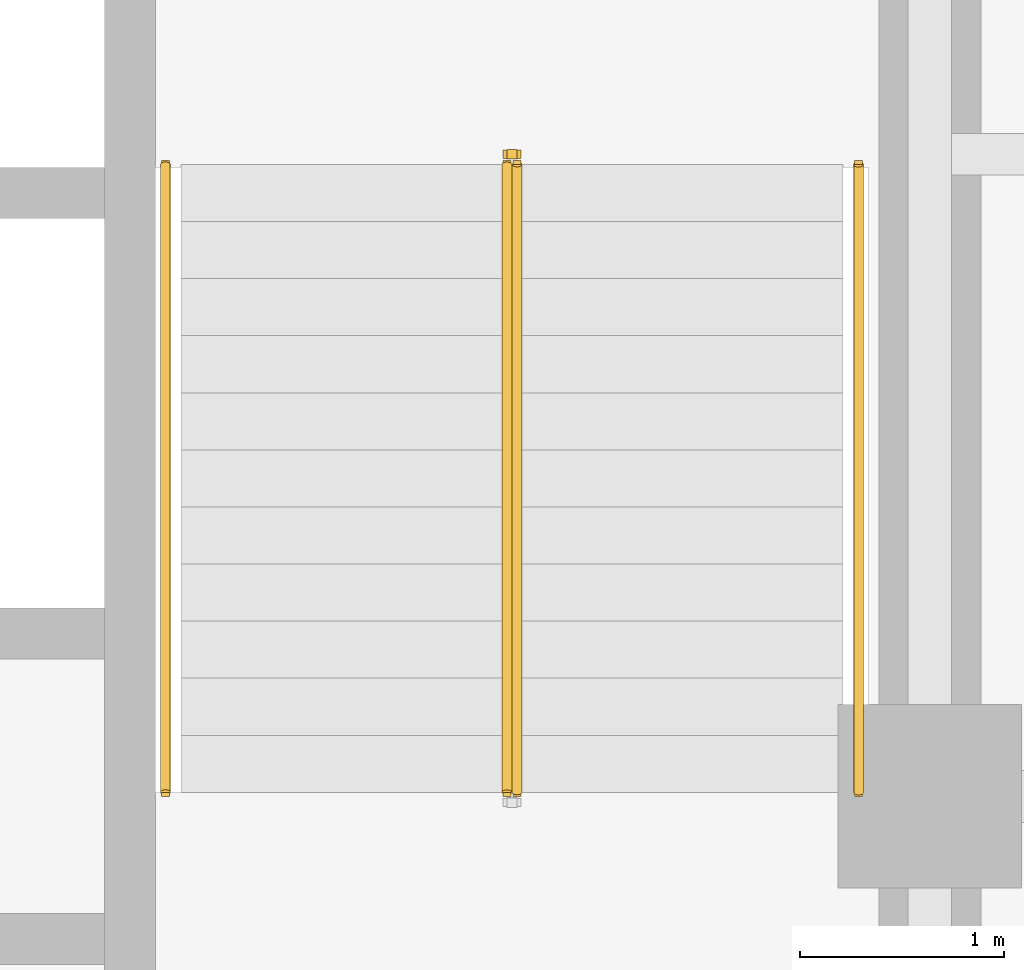
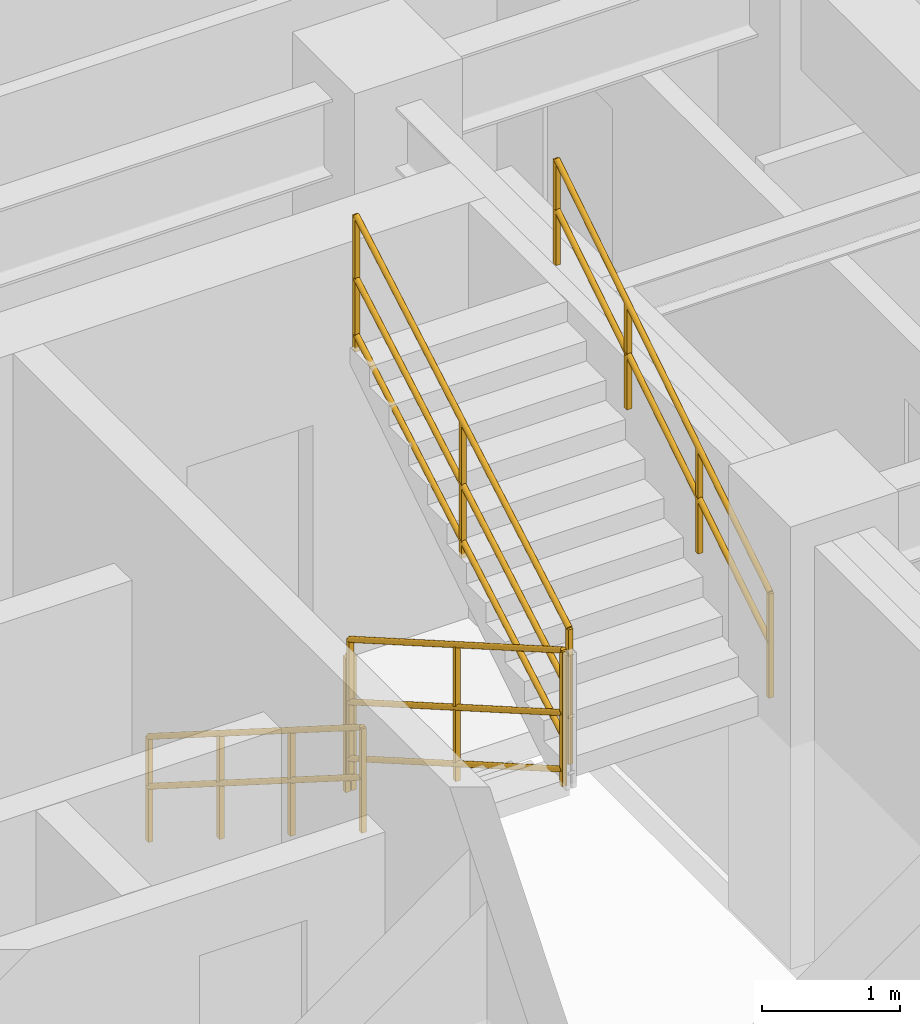
# One storey, part 10 of 11: 5 railings.
"""IFC4 building model written with IfcOpenShell, lengths in metres."""

from ifc_helpers import new_model, entity, si_unit, converted_unit, direction, frame, origin_with_axes, origin_2d_with_axis, place, context, subcontext, project, spatial, rectangle, circle, extrude, material, type_object, element, save


model = new_model("IFC4")

# Units and contexts
model_context = context("Model", 3, precision=1e-05, world=origin_with_axes(), true_north=direction((0.0, 1.0)))
body_context = subcontext(model_context, "Body", "Model", "MODEL_VIEW")
ifc_project = project(units=[si_unit("LENGTHUNIT", "METRE"), si_unit("AREAUNIT", "SQUARE_METRE"), si_unit("VOLUMEUNIT", "CUBIC_METRE"), converted_unit("PLANEANGLEUNIT", "DEGREE", entity("IfcPlaneAngleMeasure", 0.017453292519943295), si_unit("PLANEANGLEUNIT", "RADIAN"), dimensions=[0, 0, 0, 0, 0, 0, 0]), si_unit("MASSUNIT", "GRAM", prefix="KILO"), si_unit("THERMODYNAMICTEMPERATUREUNIT", "KELVIN")], contexts=[model_context])

# Site, building, storey
site_placement = place(None, origin_with_axes())
site = spatial("IfcSite", under=ifc_project, at=site_placement, CompositionType="ELEMENT")
building_placement = place(site_placement, origin_with_axes())
building = spatial("IfcBuilding", under=site, at=building_placement, Name="Varnlund Millrace Tower", CompositionType="ELEMENT")
storey_placement = place(building_placement, frame((0.0, 0.0, 196.5), z_axis=(0.0, 0.0, 1.0), x_axis=(1.0, 0.0, 0.0)))
storey = spatial("IfcBuildingStorey", under=building, at=storey_placement, Name="L48", CompositionType="ELEMENT", Elevation=196.5)

# Railings
ifc_material_1 = material(Name="Painted steel stair well balustrade guard", Category="steel")
railing_type_1 = type_object("IfcRailingType", Name="Type-StairGuard-1150", PredefinedType="GUARDRAIL", material=ifc_material_1)
railing_1_placement = place(storey_placement, frame((0.0, 0.0, -196.5), z_axis=(0.0, 0.0, 1.0), x_axis=(1.0, 0.0, 0.0)))
element("IfcRailing", 1, at=railing_1_placement, inside=storey, type_object=railing_type_1, Name="Type-StairGuard-1150", PredefinedType="GUARDRAIL", context=body_context, shape_type="SweptSolid", body=[
    extrude(circle(Radius=0.024, at=origin_2d_with_axis()), frame((45.975, 21.1, 197.827273), z_axis=(0.0, -0.866696, 0.498836), x_axis=(1.0, 0.0, 0.0)), (0.0, 0.0, 1.0), 3.553725),
    extrude(circle(Radius=0.024, at=origin_2d_with_axis()), frame((45.975, 21.1, 196.777273), z_axis=(0.0, -0.866696, 0.498836), x_axis=(1.0, 0.0, 0.0)), (0.0, 0.0, 1.0), 3.553725),
    extrude(circle(Radius=0.024, at=origin_2d_with_axis()), frame((45.975, 21.1, 197.275273), z_axis=(0.0, -0.866696, 0.498836), x_axis=(1.0, 0.0, 0.0)), (0.0, 0.0, 1.0), 3.553725),
    extrude(rectangle(XDim=0.04, YDim=0.04, at=origin_2d_with_axis()), frame((45.975, 21.1, 196.637273), z_axis=(0.0, 0.0, 1.0), x_axis=(1.0, 0.0, 0.0)), (0.0, 0.0, 1.0), 1.19),
    extrude(rectangle(XDim=0.04, YDim=0.04, at=origin_2d_with_axis()), frame((45.975, 19.56, 197.523637), z_axis=(0.0, 0.0, 1.0), x_axis=(1.0, 0.0, 0.0)), (0.0, 0.0, 1.0), 1.19),
    extrude(rectangle(XDim=0.04, YDim=0.04, at=origin_2d_with_axis()), frame((45.975, 18.02, 198.41), z_axis=(0.0, 0.0, 1.0), x_axis=(1.0, 0.0, 0.0)), (0.0, 0.0, 1.0), 1.19),
])
railing_2_placement = place(storey_placement, frame((0.0, 0.0, -196.5), z_axis=(0.0, 0.0, 1.0), x_axis=(1.0, 0.0, 0.0)))
element("IfcRailing", 2, at=railing_2_placement, inside=storey, type_object=railing_type_1, Name="Type-StairGuard-1150", PredefinedType="GUARDRAIL", context=body_context, shape_type="SweptSolid", body=[
    extrude(circle(Radius=0.024, at=origin_2d_with_axis()), frame((46.025, 18.02, 199.777273), z_axis=(0.0, 0.866696, 0.498836), x_axis=(-1.0, 0.0, 0.0)), (0.0, 0.0, 1.0), 3.553725),
    extrude(circle(Radius=0.024, at=origin_2d_with_axis()), frame((46.025, 18.02, 198.727273), z_axis=(0.0, 0.866696, 0.498836), x_axis=(-1.0, 0.0, 0.0)), (0.0, 0.0, 1.0), 3.553725),
    extrude(circle(Radius=0.024, at=origin_2d_with_axis()), frame((46.025, 18.02, 199.225273), z_axis=(0.0, 0.866696, 0.498836), x_axis=(-1.0, 0.0, 0.0)), (0.0, 0.0, 1.0), 3.553725),
    extrude(rectangle(XDim=0.04, YDim=0.04, at=origin_2d_with_axis()), frame((46.025, 18.02, 198.587273), z_axis=(0.0, 0.0, 1.0), x_axis=(1.0, 0.0, 0.0)), (0.0, 0.0, 1.0), 1.19),
    extrude(rectangle(XDim=0.04, YDim=0.04, at=origin_2d_with_axis()), frame((46.025, 19.56, 199.473637), z_axis=(0.0, 0.0, 1.0), x_axis=(1.0, 0.0, 0.0)), (0.0, 0.0, 1.0), 1.19),
    extrude(rectangle(XDim=0.04, YDim=0.04, at=origin_2d_with_axis()), frame((46.025, 21.1, 200.36), z_axis=(0.0, 0.0, 1.0), x_axis=(1.0, 0.0, 0.0)), (0.0, 0.0, 1.0), 1.19),
])
railing_3_placement = place(storey_placement, frame((0.0, 0.0, -196.5), z_axis=(0.0, 0.0, 1.0), x_axis=(1.0, 0.0, 0.0)))
element("IfcRailing", 3, at=railing_3_placement, inside=storey, type_object=railing_type_1, Name="Type-StairGuard-1150", PredefinedType="GUARDRAIL", context=body_context, shape_type="SweptSolid", body=[
    extrude(circle(Radius=0.024, at=origin_2d_with_axis()), frame((46.025, 21.15, 197.65), z_axis=(-1.0, 0.0, 0.0), x_axis=(0.0, -1.0, 0.0)), (0.0, 0.0, 1.0), 0.05),
    extrude(circle(Radius=0.024, at=origin_2d_with_axis()), frame((46.025, 21.15, 196.6), z_axis=(-1.0, 0.0, 0.0), x_axis=(0.0, -1.0, 0.0)), (0.0, 0.0, 1.0), 0.05),
    extrude(circle(Radius=0.024, at=origin_2d_with_axis()), frame((46.025, 21.15, 197.098), z_axis=(-1.0, 0.0, 0.0), x_axis=(0.0, -1.0, 0.0)), (0.0, 0.0, 1.0), 0.05),
    extrude(rectangle(XDim=0.04, YDim=0.04, at=origin_2d_with_axis()), frame((46.025, 21.15, 196.46), z_axis=(0.0, 0.0, 1.0), x_axis=(1.0, 0.0, 0.0)), (0.0, 0.0, 1.0), 1.19),
    extrude(rectangle(XDim=0.04, YDim=0.04, at=origin_2d_with_axis()), frame((45.975, 21.15, 196.46), z_axis=(0.0, 0.0, 1.0), x_axis=(1.0, 0.0, 0.0)), (0.0, 0.0, 1.0), 1.19),
])
ifc_material_2 = material(Name="Brushed architectural bronze stair handrail", Category="aluminium")
railing_type_2 = type_object("IfcRailingType", Name="Type-StairHandrail-900", PredefinedType="HANDRAIL", material=ifc_material_2)
railing_4_placement = place(storey_placement, frame((0.0, 0.0, -196.5), z_axis=(0.0, 0.0, 1.0), x_axis=(1.0, 0.0, 0.0)))
element("IfcRailing", 4, at=railing_4_placement, inside=storey, type_object=railing_type_2, Name="Type-StairHandrail-900", PredefinedType="HANDRAIL", context=body_context, shape_type="SweptSolid", body=[
    extrude(circle(Radius=0.024, at=origin_2d_with_axis()), frame((44.3, 21.1, 197.556995), z_axis=(0.0, -0.844902, 0.534922), x_axis=(1.0, 0.0, 0.0)), (0.0, 0.0, 1.0), 3.645394),
    extrude(circle(Radius=0.024, at=origin_2d_with_axis()), frame((44.3, 21.1, 197.117134), z_axis=(0.0, -0.844902, 0.534922), x_axis=(1.0, 0.0, 0.0)), (0.0, 0.0, 1.0), 3.645394),
    extrude(rectangle(XDim=0.04, YDim=0.04, at=origin_2d_with_axis()), frame((44.3, 21.1, 196.637273), z_axis=(0.0, 0.0, 1.0), x_axis=(1.0, 0.0, 0.0)), (0.0, 0.0, 1.0), 0.919722),
    extrude(rectangle(XDim=0.04, YDim=0.04, at=origin_2d_with_axis()), frame((44.3, 20.073333, 197.287273), z_axis=(0.0, 0.0, 1.0), x_axis=(1.0, 0.0, 0.0)), (0.0, 0.0, 1.0), 0.919722),
    extrude(rectangle(XDim=0.04, YDim=0.04, at=origin_2d_with_axis()), frame((44.3, 19.046667, 197.937273), z_axis=(0.0, 0.0, 1.0), x_axis=(1.0, 0.0, 0.0)), (0.0, 0.0, 1.0), 0.919722),
    extrude(rectangle(XDim=0.04, YDim=0.04, at=origin_2d_with_axis()), frame((44.3, 18.02, 198.587273), z_axis=(0.0, 0.0, 1.0), x_axis=(1.0, 0.0, 0.0)), (0.0, 0.0, 1.0), 0.919722),
])
railing_5_placement = place(storey_placement, frame((0.0, 0.0, -196.5), z_axis=(0.0, 0.0, 1.0), x_axis=(1.0, 0.0, 0.0)))
element("IfcRailing", 5, at=railing_5_placement, inside=storey, type_object=railing_type_2, Name="Type-StairHandrail-900", PredefinedType="HANDRAIL", context=body_context, shape_type="SweptSolid", body=[
    extrude(circle(Radius=0.024, at=origin_2d_with_axis()), frame((47.7, 18.02, 199.506995), z_axis=(0.0, 0.844902, 0.534922), x_axis=(-1.0, 0.0, 0.0)), (0.0, 0.0, 1.0), 3.645394),
    extrude(circle(Radius=0.024, at=origin_2d_with_axis()), frame((47.7, 18.02, 199.067134), z_axis=(0.0, 0.844902, 0.534922), x_axis=(-1.0, 0.0, 0.0)), (0.0, 0.0, 1.0), 3.645394),
    extrude(rectangle(XDim=0.04, YDim=0.04, at=origin_2d_with_axis()), frame((47.7, 18.02, 198.587273), z_axis=(0.0, 0.0, 1.0), x_axis=(1.0, 0.0, 0.0)), (0.0, 0.0, 1.0), 0.919722),
    extrude(rectangle(XDim=0.04, YDim=0.04, at=origin_2d_with_axis()), frame((47.7, 19.046667, 199.237273), z_axis=(0.0, 0.0, 1.0), x_axis=(1.0, 0.0, 0.0)), (0.0, 0.0, 1.0), 0.919722),
    extrude(rectangle(XDim=0.04, YDim=0.04, at=origin_2d_with_axis()), frame((47.7, 20.073333, 199.887273), z_axis=(0.0, 0.0, 1.0), x_axis=(1.0, 0.0, 0.0)), (0.0, 0.0, 1.0), 0.919722),
    extrude(rectangle(XDim=0.04, YDim=0.04, at=origin_2d_with_axis()), frame((47.7, 21.1, 200.537273), z_axis=(0.0, 0.0, 1.0), x_axis=(1.0, 0.0, 0.0)), (0.0, 0.0, 1.0), 0.919722),
])

save(model, "model.ifc")
